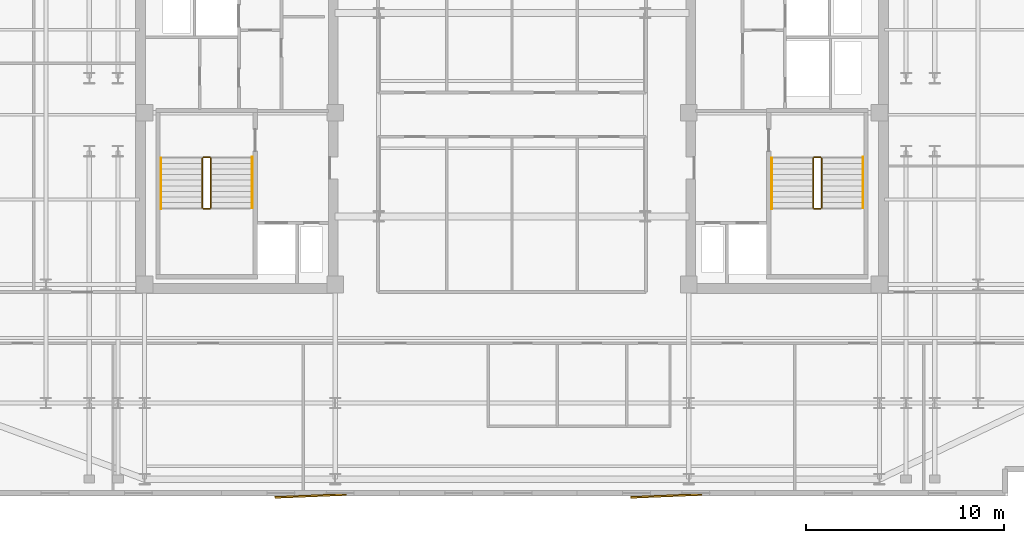
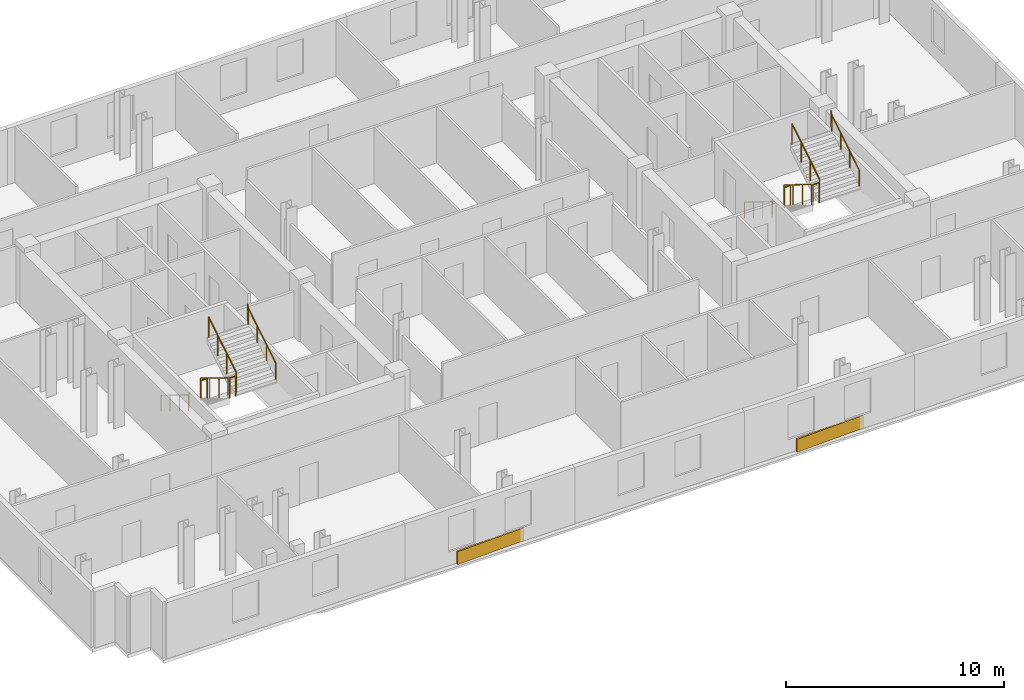
# One storey, part 9 of 10: 12 railings, 2 coverings.
"""IFC4 building model written with IfcOpenShell, lengths in metres."""

import ifcopenshell
import ifcopenshell.guid

model = None  # the IFC model being written
_history = None  # IfcOwnerHistory: only IFC2X3 demands one
_inside = {}  # id of a spatial element -> (the spatial element, [elements in it])
_under = {}  # id of a project, library or spatial element -> (it, [spatial elements below it])
_declared = {}  # id of a project -> (the project, [libraries it declares])
_typed = {}  # id of a type object -> (the type object, [elements of that type])
_made_of = {}  # id of a material, layer set ... -> (it, [elements and type objects made of it])


def new_model(schema):
    """Start an empty IFC model of exactly this schema.

    Asked for "IFC4X3", IfcOpenShell would pick the latest addendum, in which some entities
    have other attributes; the version numbers below select the first issue.
    IFC2X3 requires an IfcOwnerHistory on every rooted entity: one is made here for all.
    """
    global model, _history
    if schema == "IFC4X3":
        model = ifcopenshell.file(schema_version=(4, 3, 0, 0))
    else:
        model = ifcopenshell.file(schema=schema)
    _inside.clear()
    _under.clear()
    _declared.clear()
    _typed.clear()
    _made_of.clear()
    _history = None
    if model.schema == "IFC2X3":
        org = make("IfcOrganization", Name="unknown")
        user = make(
            "IfcPersonAndOrganization",
            ThePerson=make("IfcPerson", FamilyName="unknown"),
            TheOrganization=org,
        )
        app = make(
            "IfcApplication",
            ApplicationDeveloper=org,
            Version="unknown",
            ApplicationFullName="unknown",
            ApplicationIdentifier="unknown",
        )
        _history = make(
            "IfcOwnerHistory",
            OwningUser=user,
            OwningApplication=app,
            ChangeAction="ADDED",
            CreationDate=0,
        )
    return model


def make(cls, **values):
    """One entity of the class cls with the attributes given. An attribute that is None is left unset."""
    return model.create_entity(
        cls, **{name: value for name, value in values.items() if value is not None}
    )


def rooted(cls, **values):
    """An entity with a GlobalId (a new one), such as an element, a storey or a relation."""
    return make(cls, GlobalId=ifcopenshell.guid.new(), OwnerHistory=_history, **values)


def si_unit(unit_type, name, prefix=None):
    """IfcSIUnit, for example si_unit("LENGTHUNIT", "METRE", prefix="MILLI")."""
    return make("IfcSIUnit", UnitType=unit_type, Prefix=prefix, Name=name)


def assignment(units):
    """IfcUnitAssignment: the units of a project."""
    return None if units is None else make("IfcUnitAssignment", Units=units)


def point(xyz):
    """IfcCartesianPoint."""
    return None if xyz is None else make("IfcCartesianPoint", Coordinates=xyz)


def direction(xyz):
    """IfcDirection."""
    return None if xyz is None else make("IfcDirection", DirectionRatios=xyz)


def frame(location, z_axis=None, x_axis=None):
    """IfcAxis2Placement3D, a coordinate frame: its origin and axes. An axis left out is left unset."""
    return make(
        "IfcAxis2Placement3D",
        Location=point(location),
        Axis=direction(z_axis),
        RefDirection=direction(x_axis),
    )


def frame_2d(location, x_axis=None):
    """IfcAxis2Placement2D, a coordinate frame in the plane: its origin and x axis."""
    return make(
        "IfcAxis2Placement2D", Location=point(location), RefDirection=direction(x_axis)
    )


def origin():
    """The frame at (0, 0, 0) with its axes left unset."""
    return frame((0.0, 0.0, 0.0))


def origin_2d():
    """The frame at (0, 0) in the plane with its x axis left unset."""
    return frame_2d((0.0, 0.0))


def place(relative_to, where):
    """IfcLocalPlacement: puts the frame where relative to a parent placement (None: the world)."""
    return make(
        "IfcLocalPlacement", PlacementRelTo=relative_to, RelativePlacement=where
    )


def context(
    kind, dimensions, precision=None, world=None, true_north=None, identifier=None
):
    """IfcGeometricRepresentationContext, for example the 3D "Model" context."""
    return make(
        "IfcGeometricRepresentationContext",
        ContextIdentifier=identifier,
        ContextType=kind,
        CoordinateSpaceDimension=dimensions,
        Precision=precision,
        WorldCoordinateSystem=world,
        TrueNorth=true_north,
    )


def subcontext(parent, identifier, kind, view, scale=None):
    """IfcGeometricRepresentationSubContext, for example "Body" below "Model"."""
    return make(
        "IfcGeometricRepresentationSubContext",
        ContextIdentifier=identifier,
        ContextType=kind,
        ParentContext=parent,
        TargetScale=scale,
        TargetView=view,
    )


def project(units=None, contexts=None):
    """IfcProject with its units and contexts."""
    return rooted(
        "IfcProject",
        Name="project",
        RepresentationContexts=contexts,
        UnitsInContext=assignment(units),
    )


def spatial(cls, under=None, at=None, **own):
    """A site, building, storey or space (cls), placed at a placement, below another one or the project."""
    s = rooted(cls, ObjectPlacement=at, **own)
    if under is not None:
        _under.setdefault(under.id(), (under, []))[1].append(s)
    return s


def profile(cls, at=None, kind="AREA", **sizes):
    """A parametric profile (cls). Its sizes go by their IFC names, for example OverallWidth=200.0."""
    return make(cls, ProfileType=kind, Position=at, **sizes)


def rectangle(**sizes):
    """IfcRectangleProfileDef."""
    return profile("IfcRectangleProfileDef", **sizes)


def circle(**sizes):
    """IfcCircleProfileDef."""
    return profile("IfcCircleProfileDef", **sizes)


def extrude(swept, where, along, depth):
    """IfcExtrudedAreaSolid: the profile swept, set in the frame where, extruded along a direction by depth."""
    return make(
        "IfcExtrudedAreaSolid",
        SweptArea=swept,
        Position=where,
        ExtrudedDirection=direction(along),
        Depth=depth,
    )


def shape(context_of_items, identifier, shape_type, items):
    """IfcShapeRepresentation: the items that make up one representation, for example the "Body"."""
    return make(
        "IfcShapeRepresentation",
        ContextOfItems=context_of_items,
        RepresentationIdentifier=identifier,
        RepresentationType=shape_type,
        Items=items,
    )


def material(Name=None, Category=None):
    """IfcMaterial."""
    return make("IfcMaterial", Name=Name, Category=Category)


def layer(
    of_material, thickness, ventilated=None, Name=None, Category=None, Priority=None
):
    """IfcMaterialLayer: one layer of a wall or slab, of a material (None: an air gap)."""
    return make(
        "IfcMaterialLayer",
        Material=of_material,
        LayerThickness=thickness,
        IsVentilated=ventilated,
        Name=Name,
        Category=Category,
        Priority=Priority,
    )


def layer_set(layers, Name=None):
    """IfcMaterialLayerSet."""
    return make("IfcMaterialLayerSet", MaterialLayers=layers, LayerSetName=Name)


def made_of(thing, what):
    """Note that an element or type object is made of a material, layer set ...; save() writes the relation."""
    if what is not None:
        _made_of.setdefault(what.id(), (what, []))[1].append(thing)
    return thing


def type_object(cls, material=None, **own):
    """A type object (cls), such as IfcWallType, which elements share."""
    return made_of(rooted(cls, **own), material)


def element(
    cls,
    number,
    at=None,
    inside=None,
    cuts=None,
    type_object=None,
    material=None,
    context=None,
    identifier="Body",
    shape_type=None,
    held_by="IfcProductDefinitionShape",
    body=None,
    shapes=None,
    **own,
):
    """One element of the class cls, such as IfcWall. Its Tag is "e" and its number.

    at: its placement. inside: the storey or other place that contains it. cuts: it is an
    opening in that element (IfcRelVoidsElement). A single representation is given by context,
    identifier, shape_type and body (its items); several are given by shapes. held_by: the class
    of the entity that holds the representations. save() writes the other relations.
    """
    e = rooted(cls, Tag="e%d" % number, ObjectPlacement=at, **own)
    if body is not None:
        shapes = [shape(context, identifier, shape_type, body)]
    if shapes is not None:
        e.Representation = make(held_by, Representations=shapes)
    if inside is not None:
        _inside.setdefault(inside.id(), (inside, []))[1].append(e)
    if cuts is not None:
        rooted(
            "IfcRelVoidsElement", RelatingBuildingElement=cuts, RelatedOpeningElement=e
        )
    if type_object is not None:
        _typed.setdefault(type_object.id(), (type_object, []))[1].append(e)
    return made_of(e, material)


def aggregate(whole, parts):
    """IfcRelAggregates: a whole, such as a stair, and the parts it consists of."""
    return rooted("IfcRelAggregates", RelatingObject=whole, RelatedObjects=parts)


def save(model, path):
    """Write the relations noted so far, then the file.

    IfcRelAggregates (storeys below a building ...), IfcRelContainedInSpatialStructure (elements
    in a storey), IfcRelDefinesByType, IfcRelAssociatesMaterial and IfcRelDeclares: one each for
    every whole, place, type object, material and project.
    """
    for whole, parts in _under.values():
        aggregate(whole, parts)
    for where, things in _inside.values():
        rooted(
            "IfcRelContainedInSpatialStructure",
            RelatedElements=things,
            RelatingStructure=where,
        )
    for kind, things in _typed.values():
        rooted("IfcRelDefinesByType", RelatedObjects=things, RelatingType=kind)
    for what, things in _made_of.values():
        rooted("IfcRelAssociatesMaterial", RelatedObjects=things, RelatingMaterial=what)
    for by, libraries in _declared.values():
        rooted("IfcRelDeclares", RelatingContext=by, RelatedDefinitions=libraries)
    model.write(path)


model = new_model("IFC4")

# Units and contexts
model_context = context("Model", 3, precision=1e-05, world=origin(), true_north=direction((0.0, 1.0)))
body_context = subcontext(model_context, "Body", "Model", "MODEL_VIEW")
ifc_project = project(units=[si_unit("LENGTHUNIT", "METRE"), si_unit("AREAUNIT", "SQUARE_METRE"), si_unit("VOLUMEUNIT", "CUBIC_METRE"), si_unit("PLANEANGLEUNIT", "RADIAN"), si_unit("MASSUNIT", "GRAM", prefix="KILO")], contexts=[model_context])

# Site, building, storey
site_placement = place(None, origin())
site = spatial("IfcSite", under=ifc_project, at=site_placement, CompositionType="ELEMENT")
building_placement = place(site_placement, origin())
building = spatial("IfcBuilding", under=site, at=building_placement, Name="Velakula Bourse", CompositionType="ELEMENT")
storey_placement = place(building_placement, frame((0.0, 0.0, 239.550048828125)))
storey = spatial("IfcBuildingStorey", under=building, at=storey_placement, Name="L65", CompositionType="ELEMENT", Elevation=239.550048828125)

# Coverings
ifc_material_1 = material(Name="Red kilned clay facing brick masonry", Category="masonry")
ifc_layer = layer(ifc_material_1, 0.090087890625, Name="Red kilned clay facing brick masonry", Category="masonry")
ifc_layer_set = layer_set([ifc_layer], Name="Red kilned clay facing brick masonry")
covering_type = type_object("IfcCoveringType", Name="COV-BRK-FOLD-90", PredefinedType="CLADDING", material=ifc_layer_set)
for number, where, z_axis, x_axis, name in (
    (1, (-10.199951171875, -19.300048828125, 0.0), (0.0, 0.0, 1.0), (0.999158993058, 0.041003738744, 0.0), "L65 Folded Brick Facade Cladding Panel S-B2"),
    (2, (7.800048828125, -19.300048828125, 0.0), (0.0, 0.0, 1.0), (0.999158993058, 0.041003738744, 0.0), "L65 Folded Brick Facade Cladding Panel S-B4"),
):
    element("IfcCovering", number, at=place(storey_placement, frame(where, z_axis=z_axis, x_axis=x_axis)), inside=storey, type_object=covering_type, Name=name, PredefinedType="CLADDING", context=body_context, shape_type="SweptSolid", body=[
        extrude(rectangle(XDim=3.60009765625, YDim=0.090087890625, at=origin_2d()), origin(), (0.0, 0.0, 1.0), 0.719970703125),
    ])

# Railings
ifc_material_2 = material(Name="Brushed grade 316 stainless steel", Category="steel")
railing_type_1 = type_object("IfcRailingType", Name="RLG-STAIR-GUARD-1150", PredefinedType="BALUSTRADE", material=ifc_material_2)
railing_1_placement = place(storey_placement, frame((-15.672119140625, -2.199951171875, 0.17236328125)))
element("IfcRailing", 3, at=railing_1_placement, inside=storey, type_object=railing_type_1, Name="L65 ST-W1 stair guard 1", PredefinedType="BALUSTRADE", context=body_context, shape_type="SweptSolid", body=[
    extrude(circle(Radius=0.02490234375, at=origin_2d()), frame((0.0, 0.0, 1.125), z_axis=(0.0, -0.851400495292, 0.524516154772), x_axis=(1.0, 0.0, 0.0)), (0.0, 0.0, 1.0), 2.9599609375),
    extrude(circle(Radius=0.02099609375, at=origin_2d()), origin(), (0.0, 0.0, 1.0), 1.099853515625),
    extrude(circle(Radius=0.02099609375, at=origin_2d()), frame((0.0, -0.840087890625, 0.517578125)), (0.0, 0.0, 1.0), 1.099853515625),
    extrude(circle(Radius=0.02099609375, at=origin_2d()), frame((0.0, -1.679931640625, 1.034912109375)), (0.0, 0.0, 1.0), 1.099853515625),
    extrude(circle(Radius=0.02099609375, at=origin_2d()), frame((0.0, -2.52001953125, 1.552490234375)), (0.0, 0.0, 1.0), 1.099853515625),
])
railing_2_placement = place(storey_placement, frame((-15.6220703125, -4.77001953125, 1.724853515625)))
element("IfcRailing", 4, at=railing_2_placement, inside=storey, type_object=railing_type_1, Name="L65 ST-W1 stair guard 2", PredefinedType="BALUSTRADE", context=body_context, shape_type="SweptSolid", body=[
    extrude(circle(Radius=0.02490234375, at=origin_2d()), frame((0.0, 0.0, 1.125), z_axis=(1.0, 0.0, 0.0), x_axis=(0.0, 1.0, 0.0)), (0.0, 0.0, 1.0), 0.323974609375),
    extrude(circle(Radius=0.02099609375, at=origin_2d()), origin(), (0.0, 0.0, 1.0), 1.099853515625),
    extrude(circle(Radius=0.02099609375, at=origin_2d()), frame((0.323974609375, 0.0, 0.0)), (0.0, 0.0, 1.0), 1.099853515625),
])
railing_3_placement = place(storey_placement, frame((-15.248046875, -4.719970703125, 1.8974609375)))
element("IfcRailing", 5, at=railing_3_placement, inside=storey, type_object=railing_type_1, Name="L65 ST-W1 stair guard 3", PredefinedType="BALUSTRADE", context=body_context, shape_type="SweptSolid", body=[
    extrude(circle(Radius=0.02490234375, at=origin_2d()), frame((0.0, 0.0, 1.125), z_axis=(0.0, 0.851400495292, 0.524516154772), x_axis=(-1.0, 0.0, 0.0)), (0.0, 0.0, 1.0), 2.9599609375),
    extrude(circle(Radius=0.02099609375, at=origin_2d()), origin(), (0.0, 0.0, 1.0), 1.099853515625),
    extrude(circle(Radius=0.02099609375, at=origin_2d()), frame((0.0, 0.840087890625, 0.517578125)), (0.0, 0.0, 1.0), 1.099853515625),
    extrude(circle(Radius=0.02099609375, at=origin_2d()), frame((0.0, 1.679931640625, 1.034912109375)), (0.0, 0.0, 1.0), 1.099853515625),
    extrude(circle(Radius=0.02099609375, at=origin_2d()), frame((0.0, 2.52001953125, 1.552490234375)), (0.0, 0.0, 1.0), 1.099853515625),
])
railing_4_placement = place(storey_placement, frame((-15.6220703125, -2.14990234375, 0.0)))
element("IfcRailing", 6, at=railing_4_placement, inside=storey, type_object=railing_type_1, Name="L65 ST-W1 stair guard 4", PredefinedType="BALUSTRADE", context=body_context, shape_type="SweptSolid", body=[
    extrude(circle(Radius=0.02490234375, at=origin_2d()), frame((0.0, 0.0, 1.125), z_axis=(1.0, 0.0, 0.0), x_axis=(0.0, 1.0, 0.0)), (0.0, 0.0, 1.0), 0.323974609375),
    extrude(circle(Radius=0.02099609375, at=origin_2d()), origin(), (0.0, 0.0, 1.0), 1.099853515625),
    extrude(circle(Radius=0.02099609375, at=origin_2d()), frame((0.323974609375, 0.0, 0.0)), (0.0, 0.0, 1.0), 1.099853515625),
])
railing_5_placement = place(storey_placement, frame((15.248046875, -2.199951171875, 0.17236328125)))
element("IfcRailing", 7, at=railing_5_placement, inside=storey, type_object=railing_type_1, Name="L65 ST-E1 stair guard 1", PredefinedType="BALUSTRADE", context=body_context, shape_type="SweptSolid", body=[
    extrude(circle(Radius=0.02490234375, at=origin_2d()), frame((0.0, 0.0, 1.125), z_axis=(0.0, -0.851400495292, 0.524516154772), x_axis=(1.0, 0.0, 0.0)), (0.0, 0.0, 1.0), 2.9599609375),
    extrude(circle(Radius=0.02099609375, at=origin_2d()), origin(), (0.0, 0.0, 1.0), 1.099853515625),
    extrude(circle(Radius=0.02099609375, at=origin_2d()), frame((0.0, -0.840087890625, 0.517578125)), (0.0, 0.0, 1.0), 1.099853515625),
    extrude(circle(Radius=0.02099609375, at=origin_2d()), frame((0.0, -1.679931640625, 1.034912109375)), (0.0, 0.0, 1.0), 1.099853515625),
    extrude(circle(Radius=0.02099609375, at=origin_2d()), frame((0.0, -2.52001953125, 1.552490234375)), (0.0, 0.0, 1.0), 1.099853515625),
])
railing_6_placement = place(storey_placement, frame((15.298095703125, -4.77001953125, 1.724853515625)))
element("IfcRailing", 8, at=railing_6_placement, inside=storey, type_object=railing_type_1, Name="L65 ST-E1 stair guard 2", PredefinedType="BALUSTRADE", context=body_context, shape_type="SweptSolid", body=[
    extrude(circle(Radius=0.02490234375, at=origin_2d()), frame((0.0, 0.0, 1.125), z_axis=(1.0, 0.0, 0.0), x_axis=(0.0, 1.0, 0.0)), (0.0, 0.0, 1.0), 0.323974609375),
    extrude(circle(Radius=0.02099609375, at=origin_2d()), origin(), (0.0, 0.0, 1.0), 1.099853515625),
    extrude(circle(Radius=0.02099609375, at=origin_2d()), frame((0.323974609375, 0.0, 0.0)), (0.0, 0.0, 1.0), 1.099853515625),
])
railing_7_placement = place(storey_placement, frame((15.672119140625, -4.719970703125, 1.8974609375)))
element("IfcRailing", 9, at=railing_7_placement, inside=storey, type_object=railing_type_1, Name="L65 ST-E1 stair guard 3", PredefinedType="BALUSTRADE", context=body_context, shape_type="SweptSolid", body=[
    extrude(circle(Radius=0.02490234375, at=origin_2d()), frame((0.0, 0.0, 1.125), z_axis=(0.0, 0.851400495292, 0.524516154772), x_axis=(-1.0, 0.0, 0.0)), (0.0, 0.0, 1.0), 2.9599609375),
    extrude(circle(Radius=0.02099609375, at=origin_2d()), origin(), (0.0, 0.0, 1.0), 1.099853515625),
    extrude(circle(Radius=0.02099609375, at=origin_2d()), frame((0.0, 0.840087890625, 0.517578125)), (0.0, 0.0, 1.0), 1.099853515625),
    extrude(circle(Radius=0.02099609375, at=origin_2d()), frame((0.0, 1.679931640625, 1.034912109375)), (0.0, 0.0, 1.0), 1.099853515625),
    extrude(circle(Radius=0.02099609375, at=origin_2d()), frame((0.0, 2.52001953125, 1.552490234375)), (0.0, 0.0, 1.0), 1.099853515625),
])
railing_8_placement = place(storey_placement, frame((15.298095703125, -2.14990234375, 0.0)))
element("IfcRailing", 10, at=railing_8_placement, inside=storey, type_object=railing_type_1, Name="L65 ST-E1 stair guard 4", PredefinedType="BALUSTRADE", context=body_context, shape_type="SweptSolid", body=[
    extrude(circle(Radius=0.02490234375, at=origin_2d()), frame((0.0, 0.0, 1.125), z_axis=(1.0, 0.0, 0.0), x_axis=(0.0, 1.0, 0.0)), (0.0, 0.0, 1.0), 0.323974609375),
    extrude(circle(Radius=0.02099609375, at=origin_2d()), origin(), (0.0, 0.0, 1.0), 1.099853515625),
    extrude(circle(Radius=0.02099609375, at=origin_2d()), frame((0.323974609375, 0.0, 0.0)), (0.0, 0.0, 1.0), 1.099853515625),
])
railing_type_2 = type_object("IfcRailingType", Name="RLG-STAIR-HAND-920", PredefinedType="HANDRAIL", material=ifc_material_2)
railing_9_placement = place(storey_placement, frame((-17.77001953125, -2.199951171875, 0.17236328125)))
element("IfcRailing", 11, at=railing_9_placement, inside=storey, type_object=railing_type_2, Name="L65 ST-W1 stair handrail 1", PredefinedType="HANDRAIL", context=body_context, shape_type="SweptSolid", body=[
    extrude(circle(Radius=0.02099609375, at=origin_2d()), frame((0.0, 0.0, 0.89892578125), z_axis=(0.0, -0.851400495292, 0.524516154772), x_axis=(1.0, 0.0, 0.0)), (0.0, 0.0, 1.0), 2.9599609375),
    extrude(circle(Radius=0.02099609375, at=origin_2d()), frame((0.0, -2.52001953125, 2.451416015625), z_axis=(0.0, -0.22596628056, 0.974135124123), x_axis=(1.0, 0.0, 0.0)), (0.0, 0.0, 1.0), 0.17724609375),
    extrude(circle(Radius=0.02099609375, at=origin_2d()), frame((0.0, -2.56005859375, 2.6240234375), z_axis=(0.0, -1.0, 0.0), x_axis=(1.0, 0.0, 0.0)), (0.0, 0.0, 1.0), 0.0048828125),
    extrude(circle(Radius=0.02099609375, at=origin_2d()), origin(), (0.0, 0.0, 1.0), 0.8779296875),
    extrude(circle(Radius=0.02099609375, at=origin_2d()), frame((0.0, -0.840087890625, 0.517578125)), (0.0, 0.0, 1.0), 0.8779296875),
    extrude(circle(Radius=0.02099609375, at=origin_2d()), frame((0.0, -1.679931640625, 1.034912109375)), (0.0, 0.0, 1.0), 0.8779296875),
    extrude(circle(Radius=0.02099609375, at=origin_2d()), frame((0.0, -2.52001953125, 1.552490234375)), (0.0, 0.0, 1.0), 0.8779296875),
    extrude(circle(Radius=0.02099609375, at=origin_2d()), frame((0.0, -2.56005859375, 1.72509765625)), (0.0, 0.0, 1.0), 0.8779296875),
    extrude(circle(Radius=0.02099609375, at=origin_2d()), frame((0.0, -2.56494140625, 1.72509765625)), (0.0, 0.0, 1.0), 0.8779296875),
])
railing_10_placement = place(storey_placement, frame((-13.14990234375, -4.719970703125, 1.8974609375)))
element("IfcRailing", 12, at=railing_10_placement, inside=storey, type_object=railing_type_2, Name="L65 ST-W1 stair handrail 2", PredefinedType="HANDRAIL", context=body_context, shape_type="SweptSolid", body=[
    extrude(circle(Radius=0.02099609375, at=origin_2d()), frame((0.0, 0.0, 0.89892578125), z_axis=(0.0, 0.851400495292, 0.524516154772), x_axis=(-1.0, 0.0, 0.0)), (0.0, 0.0, 1.0), 2.9599609375),
    extrude(circle(Radius=0.02099609375, at=origin_2d()), frame((0.0, 2.52001953125, 2.451416015625), z_axis=(0.0, 0.22596628056, 0.974135124123), x_axis=(-1.0, 0.0, 0.0)), (0.0, 0.0, 1.0), 0.17724609375),
    extrude(circle(Radius=0.02099609375, at=origin_2d()), frame((0.0, 2.56005859375, 2.6240234375), z_axis=(0.0, 1.0, 0.0), x_axis=(-1.0, 0.0, 0.0)), (0.0, 0.0, 1.0), 0.0048828125),
    extrude(circle(Radius=0.02099609375, at=origin_2d()), origin(), (0.0, 0.0, 1.0), 0.8779296875),
    extrude(circle(Radius=0.02099609375, at=origin_2d()), frame((0.0, 0.840087890625, 0.517578125)), (0.0, 0.0, 1.0), 0.8779296875),
    extrude(circle(Radius=0.02099609375, at=origin_2d()), frame((0.0, 1.679931640625, 1.034912109375)), (0.0, 0.0, 1.0), 0.8779296875),
    extrude(circle(Radius=0.02099609375, at=origin_2d()), frame((0.0, 2.52001953125, 1.552490234375)), (0.0, 0.0, 1.0), 0.8779296875),
    extrude(circle(Radius=0.02099609375, at=origin_2d()), frame((0.0, 2.56005859375, 1.72509765625)), (0.0, 0.0, 1.0), 0.8779296875),
    extrude(circle(Radius=0.02099609375, at=origin_2d()), frame((0.0, 2.56494140625, 1.72509765625)), (0.0, 0.0, 1.0), 0.8779296875),
])
railing_11_placement = place(storey_placement, frame((13.14990234375, -2.199951171875, 0.17236328125)))
element("IfcRailing", 13, at=railing_11_placement, inside=storey, type_object=railing_type_2, Name="L65 ST-E1 stair handrail 1", PredefinedType="HANDRAIL", context=body_context, shape_type="SweptSolid", body=[
    extrude(circle(Radius=0.02099609375, at=origin_2d()), frame((0.0, 0.0, 0.89892578125), z_axis=(0.0, -0.851400495292, 0.524516154772), x_axis=(1.0, 0.0, 0.0)), (0.0, 0.0, 1.0), 2.9599609375),
    extrude(circle(Radius=0.02099609375, at=origin_2d()), frame((0.0, -2.52001953125, 2.451416015625), z_axis=(0.0, -0.22596628056, 0.974135124123), x_axis=(1.0, 0.0, 0.0)), (0.0, 0.0, 1.0), 0.17724609375),
    extrude(circle(Radius=0.02099609375, at=origin_2d()), frame((0.0, -2.56005859375, 2.6240234375), z_axis=(0.0, -1.0, 0.0), x_axis=(1.0, 0.0, 0.0)), (0.0, 0.0, 1.0), 0.0048828125),
    extrude(circle(Radius=0.02099609375, at=origin_2d()), origin(), (0.0, 0.0, 1.0), 0.8779296875),
    extrude(circle(Radius=0.02099609375, at=origin_2d()), frame((0.0, -0.840087890625, 0.517578125)), (0.0, 0.0, 1.0), 0.8779296875),
    extrude(circle(Radius=0.02099609375, at=origin_2d()), frame((0.0, -1.679931640625, 1.034912109375)), (0.0, 0.0, 1.0), 0.8779296875),
    extrude(circle(Radius=0.02099609375, at=origin_2d()), frame((0.0, -2.52001953125, 1.552490234375)), (0.0, 0.0, 1.0), 0.8779296875),
    extrude(circle(Radius=0.02099609375, at=origin_2d()), frame((0.0, -2.56005859375, 1.72509765625)), (0.0, 0.0, 1.0), 0.8779296875),
    extrude(circle(Radius=0.02099609375, at=origin_2d()), frame((0.0, -2.56494140625, 1.72509765625)), (0.0, 0.0, 1.0), 0.8779296875),
])
railing_12_placement = place(storey_placement, frame((17.77001953125, -4.719970703125, 1.8974609375)))
element("IfcRailing", 14, at=railing_12_placement, inside=storey, type_object=railing_type_2, Name="L65 ST-E1 stair handrail 2", PredefinedType="HANDRAIL", context=body_context, shape_type="SweptSolid", body=[
    extrude(circle(Radius=0.02099609375, at=origin_2d()), frame((0.0, 0.0, 0.89892578125), z_axis=(0.0, 0.851400495292, 0.524516154772), x_axis=(-1.0, 0.0, 0.0)), (0.0, 0.0, 1.0), 2.9599609375),
    extrude(circle(Radius=0.02099609375, at=origin_2d()), frame((0.0, 2.52001953125, 2.451416015625), z_axis=(0.0, 0.22596628056, 0.974135124123), x_axis=(-1.0, 0.0, 0.0)), (0.0, 0.0, 1.0), 0.17724609375),
    extrude(circle(Radius=0.02099609375, at=origin_2d()), frame((0.0, 2.56005859375, 2.6240234375), z_axis=(0.0, 1.0, 0.0), x_axis=(-1.0, 0.0, 0.0)), (0.0, 0.0, 1.0), 0.0048828125),
    extrude(circle(Radius=0.02099609375, at=origin_2d()), origin(), (0.0, 0.0, 1.0), 0.8779296875),
    extrude(circle(Radius=0.02099609375, at=origin_2d()), frame((0.0, 0.840087890625, 0.517578125)), (0.0, 0.0, 1.0), 0.8779296875),
    extrude(circle(Radius=0.02099609375, at=origin_2d()), frame((0.0, 1.679931640625, 1.034912109375)), (0.0, 0.0, 1.0), 0.8779296875),
    extrude(circle(Radius=0.02099609375, at=origin_2d()), frame((0.0, 2.52001953125, 1.552490234375)), (0.0, 0.0, 1.0), 0.8779296875),
    extrude(circle(Radius=0.02099609375, at=origin_2d()), frame((0.0, 2.56005859375, 1.72509765625)), (0.0, 0.0, 1.0), 0.8779296875),
    extrude(circle(Radius=0.02099609375, at=origin_2d()), frame((0.0, 2.56494140625, 1.72509765625)), (0.0, 0.0, 1.0), 0.8779296875),
])

save(model, "model.ifc")
